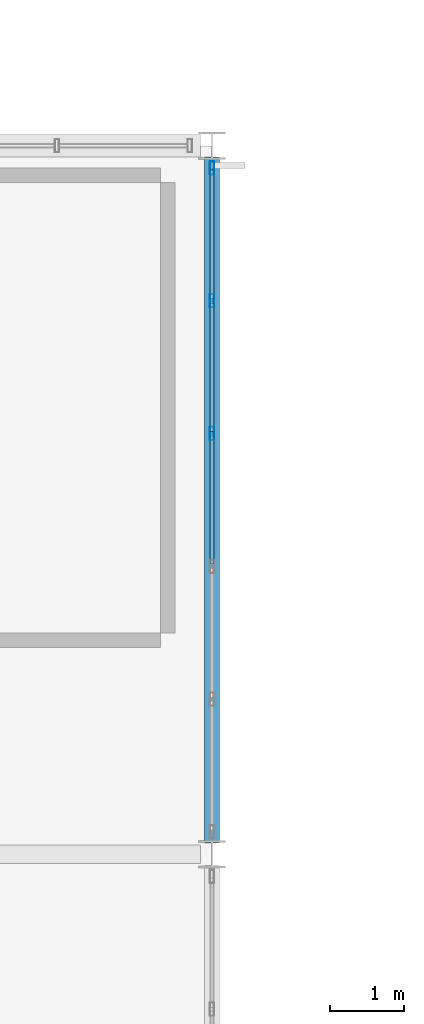
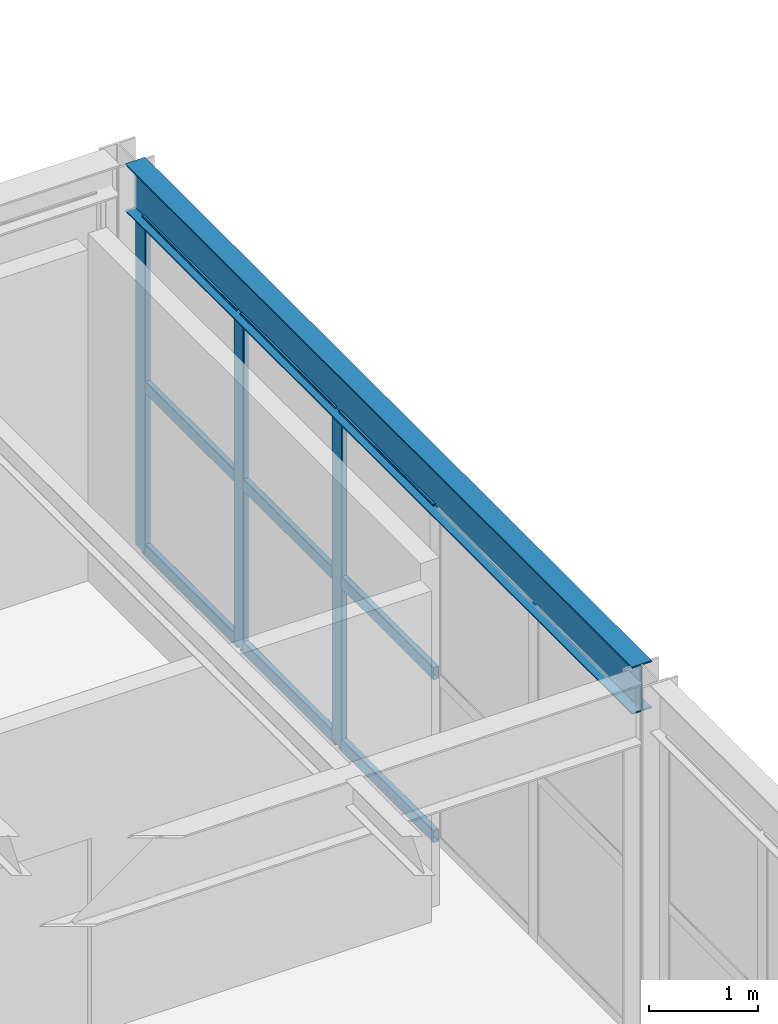
# One storey, part 68 of 170: 12 members, 1 beam, 1 element without a shape of its own.
"""IFC4 building model written with IfcOpenShell, lengths in metres."""

from ifc_helpers import new_model, si_unit, direction, frame, origin, origin_2d, place, context, subcontext, project, spatial, hollow_rectangle, i_section, extrude, material, material_profile, profile_set, type_object, element, aggregate, save


model = new_model("IFC4")

# Units and contexts
model_context = context("Model", 3, precision=1e-05, world=origin(), true_north=direction((0.0, 1.0)))
body_context = subcontext(model_context, "Body", "Model", "MODEL_VIEW")
ifc_project = project(units=[si_unit("LENGTHUNIT", "METRE"), si_unit("AREAUNIT", "SQUARE_METRE"), si_unit("VOLUMEUNIT", "CUBIC_METRE"), si_unit("PLANEANGLEUNIT", "RADIAN"), si_unit("MASSUNIT", "GRAM", prefix="KILO")], contexts=[model_context])

# Site, building, storey
site_placement = place(None, origin())
site = spatial("IfcSite", under=ifc_project, at=site_placement, CompositionType="ELEMENT")
building_placement = place(site_placement, origin())
building = spatial("IfcBuilding", under=site, at=building_placement, Name="Coralgate Yard Interchange", CompositionType="ELEMENT")
storey_placement = place(building_placement, frame((0.0, 0.0, 6.0)))
storey = spatial("IfcBuildingStorey", under=building, at=storey_placement, Name="L01", CompositionType="ELEMENT", Elevation=6.0)

# Beam
ifc_material_1 = material(Name="Structural steel S355J2", Category="steel")
ifc_material_profile_1 = material_profile(ifc_material_1, i_section(OverallWidth=0.209228515625, OverallDepth=0.533203125, WebThickness=0.010009765625, FlangeThickness=0.015625, FilletRadius=0.0126953125, at=origin_2d()), Name="UB 533x210x92")
ifc_profile_set_1 = profile_set([ifc_material_profile_1], Name="Structural steel S355J2")
beam_type = type_object("IfcBeamType", Name="BM-SB-1", PredefinedType="BEAM", material=ifc_profile_set_1)
beam_placement = place(storey_placement, frame((96.0, 9.754150390625, 3.9833984375), z_axis=(0.0, 1.0, 0.0), x_axis=(-1.0, 0.0, 0.0)))
element("IfcBeam", 1, at=beam_placement, inside=storey, type_object=beam_type, Name="L01 primary grid girder X10 Y1-2", PredefinedType="BEAM", context=body_context, shape_type="SweptSolid", body=[
    extrude(i_section(OverallWidth=0.209228515625, OverallDepth=0.533203125, WebThickness=0.010009765625, FlangeThickness=0.015625, FilletRadius=0.0126953125, at=origin_2d()), origin(), (0.0, 0.0, 1.0), 9.291748046875),
])

# Curtain wall, members
ifc_material_2 = material(Name="Anodised coastal aluminium and solar-control low-E glass", Category="aluminium")
curtain_wall_type = type_object("IfcCurtainWallType", Name="CW-CW-L01-B", PredefinedType="NOTDEFINED", material=ifc_material_2)
curtain_wall_placement = place(storey_placement, origin())
curtain_wall = element("IfcCurtainWall", 2, at=curtain_wall_placement, inside=storey, type_object=curtain_wall_type, Name="L01 unitised curtain wall CW-L01-E-09-01", PredefinedType="NOTDEFINED")
ifc_material_3 = material(Name="Anodised coastal aluminium 6063-T6", Category="aluminium")
ifc_material_profile_2 = material_profile(ifc_material_3, hollow_rectangle(XDim=0.06005859375, YDim=0.179931640625, WallThickness=0.00390625, InnerFilletRadius=0.00390625, OuterFilletRadius=0.008056640625, at=origin_2d()), Name="ALU 60x180x4")
ifc_profile_set_2 = profile_set([ifc_material_profile_2], Name="Anodised coastal aluminium 6063-T6")
member_type_1 = type_object("IfcMemberType", Name="MB-MUL-180", PredefinedType="MULLION", material=ifc_profile_set_2)
member_1_placement = place(storey_placement, frame((96.0, 18.89990234375, 0.0), z_axis=(0.0, 0.0, 1.0), x_axis=(1.0, 0.0, 0.0)))
member_1 = element("IfcMember", 3, at=member_1_placement, type_object=member_type_1, Name="CW-L01-E-09-01 vertical mullion 1", PredefinedType="MULLION", context=body_context, shape_type="SweptSolid", body=[
    extrude(hollow_rectangle(XDim=0.06005859375, YDim=0.179931640625, WallThickness=0.00390625, InnerFilletRadius=0.00390625, OuterFilletRadius=0.008056640625, at=origin_2d()), origin(), (0.0, 0.0, 1.0), 3.716796875),
])
member_2_placement = place(storey_placement, frame((96.0, 17.10009765625, 0.0), z_axis=(0.0, 0.0, 1.0), x_axis=(1.0, 0.0, 0.0)))
member_2 = element("IfcMember", 4, at=member_2_placement, type_object=member_type_1, Name="CW-L01-E-09-01 vertical mullion 2", PredefinedType="MULLION", context=body_context, shape_type="SweptSolid", body=[
    extrude(hollow_rectangle(XDim=0.06005859375, YDim=0.179931640625, WallThickness=0.00390625, InnerFilletRadius=0.00390625, OuterFilletRadius=0.008056640625, at=origin_2d()), origin(), (0.0, 0.0, 1.0), 3.716796875),
])
member_3_placement = place(storey_placement, frame((96.0, 15.300048828125, 0.0), z_axis=(0.0, 0.0, 1.0), x_axis=(1.0, 0.0, 0.0)))
member_3 = element("IfcMember", 5, at=member_3_placement, type_object=member_type_1, Name="CW-L01-E-09-01 vertical mullion 3", PredefinedType="MULLION", context=body_context, shape_type="SweptSolid", body=[
    extrude(hollow_rectangle(XDim=0.06005859375, YDim=0.179931640625, WallThickness=0.00390625, InnerFilletRadius=0.00390625, OuterFilletRadius=0.008056640625, at=origin_2d()), origin(), (0.0, 0.0, 1.0), 3.716796875),
])
ifc_material_profile_3 = material_profile(ifc_material_3, hollow_rectangle(XDim=0.06005859375, YDim=0.139892578125, WallThickness=0.00341796875, InnerFilletRadius=0.00341796875, OuterFilletRadius=0.007080078125, at=origin_2d()), Name="ALU 60x140x3.5")
ifc_profile_set_3 = profile_set([ifc_material_profile_3], Name="Anodised coastal aluminium 6063-T6")
member_type_2 = type_object("IfcMemberType", Name="MB-TRN-140", PredefinedType="USERDEFINED", material=ifc_profile_set_3)
member_4_placement = place(storey_placement, frame((96.0, 18.8701171875, 0.034912109375), z_axis=(0.0, -1.0, 0.0), x_axis=(1.0, 0.0, 0.0)))
member_4 = element("IfcMember", 6, at=member_4_placement, type_object=member_type_2, Name="CW-L01-E-09-01 horizontal transom 1-1", ObjectType="TRANSOM", PredefinedType="USERDEFINED", context=body_context, shape_type="SweptSolid", body=[
    extrude(hollow_rectangle(XDim=0.06005859375, YDim=0.139892578125, WallThickness=0.00341796875, InnerFilletRadius=0.00341796875, OuterFilletRadius=0.007080078125, at=origin_2d()), origin(), (0.0, 0.0, 1.0), 1.740234375),
])
member_5_placement = place(storey_placement, frame((96.0, 18.8701171875, 1.8583984375), z_axis=(0.0, -1.0, 0.0), x_axis=(1.0, 0.0, 0.0)))
member_5 = element("IfcMember", 7, at=member_5_placement, type_object=member_type_2, Name="CW-L01-E-09-01 horizontal transom 1-2", ObjectType="TRANSOM", PredefinedType="USERDEFINED", context=body_context, shape_type="SweptSolid", body=[
    extrude(hollow_rectangle(XDim=0.06005859375, YDim=0.139892578125, WallThickness=0.00341796875, InnerFilletRadius=0.00341796875, OuterFilletRadius=0.007080078125, at=origin_2d()), origin(), (0.0, 0.0, 1.0), 1.740234375),
])
member_6_placement = place(storey_placement, frame((96.0, 18.8701171875, 3.681884765625), z_axis=(0.0, -1.0, 0.0), x_axis=(1.0, 0.0, 0.0)))
member_6 = element("IfcMember", 8, at=member_6_placement, type_object=member_type_2, Name="CW-L01-E-09-01 horizontal transom 1-3", ObjectType="TRANSOM", PredefinedType="USERDEFINED", context=body_context, shape_type="SweptSolid", body=[
    extrude(hollow_rectangle(XDim=0.06005859375, YDim=0.139892578125, WallThickness=0.00341796875, InnerFilletRadius=0.00341796875, OuterFilletRadius=0.007080078125, at=origin_2d()), origin(), (0.0, 0.0, 1.0), 1.740234375),
])
member_7_placement = place(storey_placement, frame((96.0, 17.070068359375, 0.034912109375), z_axis=(0.0, -1.0, 0.0), x_axis=(1.0, 0.0, 0.0)))
member_7 = element("IfcMember", 9, at=member_7_placement, type_object=member_type_2, Name="CW-L01-E-09-01 horizontal transom 2-1", ObjectType="TRANSOM", PredefinedType="USERDEFINED", context=body_context, shape_type="SweptSolid", body=[
    extrude(hollow_rectangle(XDim=0.06005859375, YDim=0.139892578125, WallThickness=0.00341796875, InnerFilletRadius=0.00341796875, OuterFilletRadius=0.007080078125, at=origin_2d()), origin(), (0.0, 0.0, 1.0), 1.739990234375),
])
member_8_placement = place(storey_placement, frame((96.0, 17.070068359375, 1.8583984375), z_axis=(0.0, -1.0, 0.0), x_axis=(1.0, 0.0, 0.0)))
member_8 = element("IfcMember", 10, at=member_8_placement, type_object=member_type_2, Name="CW-L01-E-09-01 horizontal transom 2-2", ObjectType="TRANSOM", PredefinedType="USERDEFINED", context=body_context, shape_type="SweptSolid", body=[
    extrude(hollow_rectangle(XDim=0.06005859375, YDim=0.139892578125, WallThickness=0.00341796875, InnerFilletRadius=0.00341796875, OuterFilletRadius=0.007080078125, at=origin_2d()), origin(), (0.0, 0.0, 1.0), 1.739990234375),
])
member_9_placement = place(storey_placement, frame((96.0, 17.070068359375, 3.681884765625), z_axis=(0.0, -1.0, 0.0), x_axis=(1.0, 0.0, 0.0)))
member_9 = element("IfcMember", 11, at=member_9_placement, type_object=member_type_2, Name="CW-L01-E-09-01 horizontal transom 2-3", ObjectType="TRANSOM", PredefinedType="USERDEFINED", context=body_context, shape_type="SweptSolid", body=[
    extrude(hollow_rectangle(XDim=0.06005859375, YDim=0.139892578125, WallThickness=0.00341796875, InnerFilletRadius=0.00341796875, OuterFilletRadius=0.007080078125, at=origin_2d()), origin(), (0.0, 0.0, 1.0), 1.739990234375),
])
member_10_placement = place(storey_placement, frame((96.0, 15.27001953125, 0.034912109375), z_axis=(0.0, -1.0, 0.0), x_axis=(1.0, 0.0, 0.0)))
member_10 = element("IfcMember", 12, at=member_10_placement, type_object=member_type_2, Name="CW-L01-E-09-01 horizontal transom 3-1", ObjectType="TRANSOM", PredefinedType="USERDEFINED", context=body_context, shape_type="SweptSolid", body=[
    extrude(hollow_rectangle(XDim=0.06005859375, YDim=0.139892578125, WallThickness=0.00341796875, InnerFilletRadius=0.00341796875, OuterFilletRadius=0.007080078125, at=origin_2d()), origin(), (0.0, 0.0, 1.0), 1.739990234375),
])
member_11_placement = place(storey_placement, frame((96.0, 15.27001953125, 1.8583984375), z_axis=(0.0, -1.0, 0.0), x_axis=(1.0, 0.0, 0.0)))
member_11 = element("IfcMember", 13, at=member_11_placement, type_object=member_type_2, Name="CW-L01-E-09-01 horizontal transom 3-2", ObjectType="TRANSOM", PredefinedType="USERDEFINED", context=body_context, shape_type="SweptSolid", body=[
    extrude(hollow_rectangle(XDim=0.06005859375, YDim=0.139892578125, WallThickness=0.00341796875, InnerFilletRadius=0.00341796875, OuterFilletRadius=0.007080078125, at=origin_2d()), origin(), (0.0, 0.0, 1.0), 1.739990234375),
])
member_12_placement = place(storey_placement, frame((96.0, 15.27001953125, 3.681884765625), z_axis=(0.0, -1.0, 0.0), x_axis=(1.0, 0.0, 0.0)))
member_12 = element("IfcMember", 14, at=member_12_placement, type_object=member_type_2, Name="CW-L01-E-09-01 horizontal transom 3-3", ObjectType="TRANSOM", PredefinedType="USERDEFINED", context=body_context, shape_type="SweptSolid", body=[
    extrude(hollow_rectangle(XDim=0.06005859375, YDim=0.139892578125, WallThickness=0.00341796875, InnerFilletRadius=0.00341796875, OuterFilletRadius=0.007080078125, at=origin_2d()), origin(), (0.0, 0.0, 1.0), 1.739990234375),
])
aggregate(curtain_wall, [member_1, member_2, member_3, member_4, member_5, member_6, member_7, member_8, member_9, member_10, member_11, member_12])

save(model, "model.ifc")
